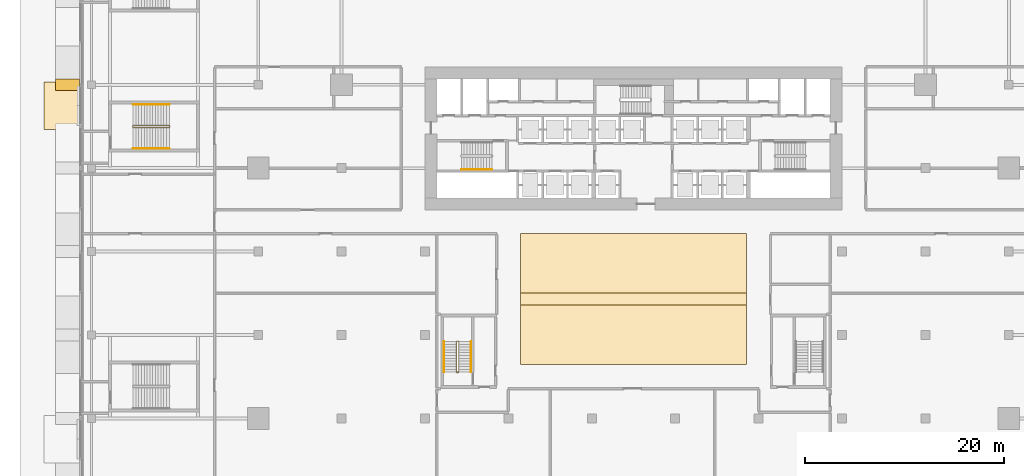
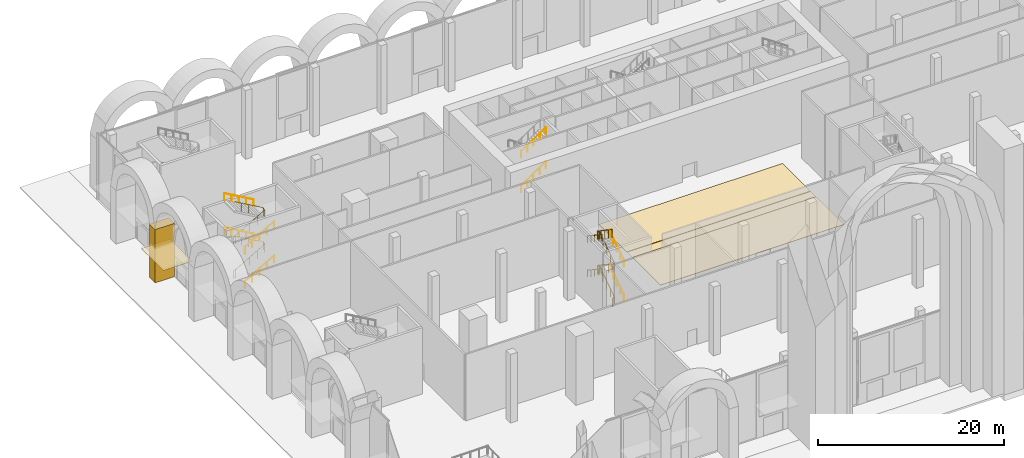
# One storey, part 36 of 43: 12 railings, 5 coverings.
"""IFC4 building model written with IfcOpenShell, lengths in metres."""

import ifcopenshell
import ifcopenshell.guid

model = None  # the IFC model being written
_history = None  # IfcOwnerHistory: only IFC2X3 demands one
_inside = {}  # id of a spatial element -> (the spatial element, [elements in it])
_under = {}  # id of a project, library or spatial element -> (it, [spatial elements below it])
_declared = {}  # id of a project -> (the project, [libraries it declares])
_typed = {}  # id of a type object -> (the type object, [elements of that type])
_made_of = {}  # id of a material, layer set ... -> (it, [elements and type objects made of it])


def new_model(schema):
    """Start an empty IFC model of exactly this schema.

    Asked for "IFC4X3", IfcOpenShell would pick the latest addendum, in which some entities
    have other attributes; the version numbers below select the first issue.
    IFC2X3 requires an IfcOwnerHistory on every rooted entity: one is made here for all.
    """
    global model, _history
    if schema == "IFC4X3":
        model = ifcopenshell.file(schema_version=(4, 3, 0, 0))
    else:
        model = ifcopenshell.file(schema=schema)
    _inside.clear()
    _under.clear()
    _declared.clear()
    _typed.clear()
    _made_of.clear()
    _history = None
    if model.schema == "IFC2X3":
        org = make("IfcOrganization", Name="unknown")
        user = make(
            "IfcPersonAndOrganization",
            ThePerson=make("IfcPerson", FamilyName="unknown"),
            TheOrganization=org,
        )
        app = make(
            "IfcApplication",
            ApplicationDeveloper=org,
            Version="unknown",
            ApplicationFullName="unknown",
            ApplicationIdentifier="unknown",
        )
        _history = make(
            "IfcOwnerHistory",
            OwningUser=user,
            OwningApplication=app,
            ChangeAction="ADDED",
            CreationDate=0,
        )
    return model


def make(cls, **values):
    """One entity of the class cls with the attributes given. An attribute that is None is left unset."""
    return model.create_entity(
        cls, **{name: value for name, value in values.items() if value is not None}
    )


def rooted(cls, **values):
    """An entity with a GlobalId (a new one), such as an element, a storey or a relation."""
    return make(cls, GlobalId=ifcopenshell.guid.new(), OwnerHistory=_history, **values)


def si_unit(unit_type, name, prefix=None):
    """IfcSIUnit, for example si_unit("LENGTHUNIT", "METRE", prefix="MILLI")."""
    return make("IfcSIUnit", UnitType=unit_type, Prefix=prefix, Name=name)


def assignment(units):
    """IfcUnitAssignment: the units of a project."""
    return None if units is None else make("IfcUnitAssignment", Units=units)


def point(xyz):
    """IfcCartesianPoint."""
    return None if xyz is None else make("IfcCartesianPoint", Coordinates=xyz)


def direction(xyz):
    """IfcDirection."""
    return None if xyz is None else make("IfcDirection", DirectionRatios=xyz)


def frame(location, z_axis=None, x_axis=None):
    """IfcAxis2Placement3D, a coordinate frame: its origin and axes. An axis left out is left unset."""
    return make(
        "IfcAxis2Placement3D",
        Location=point(location),
        Axis=direction(z_axis),
        RefDirection=direction(x_axis),
    )


def frame_2d(location, x_axis=None):
    """IfcAxis2Placement2D, a coordinate frame in the plane: its origin and x axis."""
    return make(
        "IfcAxis2Placement2D", Location=point(location), RefDirection=direction(x_axis)
    )


def origin():
    """The frame at (0, 0, 0) with its axes left unset."""
    return frame((0.0, 0.0, 0.0))


def origin_2d():
    """The frame at (0, 0) in the plane with its x axis left unset."""
    return frame_2d((0.0, 0.0))


def place(relative_to, where):
    """IfcLocalPlacement: puts the frame where relative to a parent placement (None: the world)."""
    return make(
        "IfcLocalPlacement", PlacementRelTo=relative_to, RelativePlacement=where
    )


def context(
    kind, dimensions, precision=None, world=None, true_north=None, identifier=None
):
    """IfcGeometricRepresentationContext, for example the 3D "Model" context."""
    return make(
        "IfcGeometricRepresentationContext",
        ContextIdentifier=identifier,
        ContextType=kind,
        CoordinateSpaceDimension=dimensions,
        Precision=precision,
        WorldCoordinateSystem=world,
        TrueNorth=true_north,
    )


def subcontext(parent, identifier, kind, view, scale=None):
    """IfcGeometricRepresentationSubContext, for example "Body" below "Model"."""
    return make(
        "IfcGeometricRepresentationSubContext",
        ContextIdentifier=identifier,
        ContextType=kind,
        ParentContext=parent,
        TargetScale=scale,
        TargetView=view,
    )


def project(units=None, contexts=None):
    """IfcProject with its units and contexts."""
    return rooted(
        "IfcProject",
        Name="project",
        RepresentationContexts=contexts,
        UnitsInContext=assignment(units),
    )


def spatial(cls, under=None, at=None, **own):
    """A site, building, storey or space (cls), placed at a placement, below another one or the project."""
    s = rooted(cls, ObjectPlacement=at, **own)
    if under is not None:
        _under.setdefault(under.id(), (under, []))[1].append(s)
    return s


def polyline(points):
    """IfcPolyline through the points."""
    return make("IfcPolyline", Points=[point(p) for p in points])


def profile(cls, at=None, kind="AREA", **sizes):
    """A parametric profile (cls). Its sizes go by their IFC names, for example OverallWidth=200.0."""
    return make(cls, ProfileType=kind, Position=at, **sizes)


def circle(**sizes):
    """IfcCircleProfileDef."""
    return profile("IfcCircleProfileDef", **sizes)


def outline(outer, holes=None, kind="AREA"):
    """IfcArbitraryClosedProfileDef: a profile drawn as a closed curve; with holes, ...WithVoids."""
    if holes is None:
        return make("IfcArbitraryClosedProfileDef", ProfileType=kind, OuterCurve=outer)
    return make(
        "IfcArbitraryProfileDefWithVoids",
        ProfileType=kind,
        OuterCurve=outer,
        InnerCurves=holes,
    )


def extrude(swept, where, along, depth):
    """IfcExtrudedAreaSolid: the profile swept, set in the frame where, extruded along a direction by depth."""
    return make(
        "IfcExtrudedAreaSolid",
        SweptArea=swept,
        Position=where,
        ExtrudedDirection=direction(along),
        Depth=depth,
    )


def shape(context_of_items, identifier, shape_type, items):
    """IfcShapeRepresentation: the items that make up one representation, for example the "Body"."""
    return make(
        "IfcShapeRepresentation",
        ContextOfItems=context_of_items,
        RepresentationIdentifier=identifier,
        RepresentationType=shape_type,
        Items=items,
    )


def material(Name=None, Category=None):
    """IfcMaterial."""
    return make("IfcMaterial", Name=Name, Category=Category)


def layer(
    of_material, thickness, ventilated=None, Name=None, Category=None, Priority=None
):
    """IfcMaterialLayer: one layer of a wall or slab, of a material (None: an air gap)."""
    return make(
        "IfcMaterialLayer",
        Material=of_material,
        LayerThickness=thickness,
        IsVentilated=ventilated,
        Name=Name,
        Category=Category,
        Priority=Priority,
    )


def layer_set(layers, Name=None):
    """IfcMaterialLayerSet."""
    return make("IfcMaterialLayerSet", MaterialLayers=layers, LayerSetName=Name)


def made_of(thing, what):
    """Note that an element or type object is made of a material, layer set ...; save() writes the relation."""
    if what is not None:
        _made_of.setdefault(what.id(), (what, []))[1].append(thing)
    return thing


def type_object(cls, material=None, **own):
    """A type object (cls), such as IfcWallType, which elements share."""
    return made_of(rooted(cls, **own), material)


def element(
    cls,
    number,
    at=None,
    inside=None,
    cuts=None,
    type_object=None,
    material=None,
    context=None,
    identifier="Body",
    shape_type=None,
    held_by="IfcProductDefinitionShape",
    body=None,
    shapes=None,
    **own,
):
    """One element of the class cls, such as IfcWall. Its Tag is "e" and its number.

    at: its placement. inside: the storey or other place that contains it. cuts: it is an
    opening in that element (IfcRelVoidsElement). A single representation is given by context,
    identifier, shape_type and body (its items); several are given by shapes. held_by: the class
    of the entity that holds the representations. save() writes the other relations.
    """
    e = rooted(cls, Tag="e%d" % number, ObjectPlacement=at, **own)
    if body is not None:
        shapes = [shape(context, identifier, shape_type, body)]
    if shapes is not None:
        e.Representation = make(held_by, Representations=shapes)
    if inside is not None:
        _inside.setdefault(inside.id(), (inside, []))[1].append(e)
    if cuts is not None:
        rooted(
            "IfcRelVoidsElement", RelatingBuildingElement=cuts, RelatedOpeningElement=e
        )
    if type_object is not None:
        _typed.setdefault(type_object.id(), (type_object, []))[1].append(e)
    return made_of(e, material)


def aggregate(whole, parts):
    """IfcRelAggregates: a whole, such as a stair, and the parts it consists of."""
    return rooted("IfcRelAggregates", RelatingObject=whole, RelatedObjects=parts)


def save(model, path):
    """Write the relations noted so far, then the file.

    IfcRelAggregates (storeys below a building ...), IfcRelContainedInSpatialStructure (elements
    in a storey), IfcRelDefinesByType, IfcRelAssociatesMaterial and IfcRelDeclares: one each for
    every whole, place, type object, material and project.
    """
    for whole, parts in _under.values():
        aggregate(whole, parts)
    for where, things in _inside.values():
        rooted(
            "IfcRelContainedInSpatialStructure",
            RelatedElements=things,
            RelatingStructure=where,
        )
    for kind, things in _typed.values():
        rooted("IfcRelDefinesByType", RelatedObjects=things, RelatingType=kind)
    for what, things in _made_of.values():
        rooted("IfcRelAssociatesMaterial", RelatedObjects=things, RelatingMaterial=what)
    for by, libraries in _declared.values():
        rooted("IfcRelDeclares", RelatingContext=by, RelatedDefinitions=libraries)
    model.write(path)


model = new_model("IFC4")

# Units and contexts
model_context = context("Model", 3, precision=1e-05, world=origin(), true_north=direction((0.0, 1.0)))
body_context = subcontext(model_context, "Body", "Model", "MODEL_VIEW")
ifc_project = project(units=[si_unit("LENGTHUNIT", "METRE"), si_unit("AREAUNIT", "SQUARE_METRE"), si_unit("VOLUMEUNIT", "CUBIC_METRE"), si_unit("PLANEANGLEUNIT", "RADIAN"), si_unit("MASSUNIT", "GRAM", prefix="KILO")], contexts=[model_context])

# Site, building, storey
site_placement = place(None, origin())
site = spatial("IfcSite", under=ifc_project, at=site_placement, CompositionType="ELEMENT")
building_placement = place(site_placement, origin())
building = spatial("IfcBuilding", under=site, at=building_placement, Name="Saffron Gate Tower", CompositionType="ELEMENT")
storey_placement = place(building_placement, origin())
storey = spatial("IfcBuildingStorey", under=building, at=storey_placement, Name="L00", CompositionType="ELEMENT", Elevation=0.0)

# Coverings
ifc_material_1 = material(Name="Cast stone cladding, pale limestone", Category="masonry")
ifc_layer_1 = layer(ifc_material_1, 1.199951171875)
ifc_layer_set_1 = layer_set([ifc_layer_1], Name="AR1 arcade pier")
covering_type_1 = type_object("IfcCoveringType", Name="AR1 arcade pier", PredefinedType="CLADDING", material=ifc_layer_set_1)
covering_1_placement = place(storey_placement, origin())
element("IfcCovering", 1, at=covering_1_placement, inside=storey, type_object=covering_type_1, Name="ARCADE PIER", PredefinedType="CLADDING", context=body_context, shape_type="SweptSolid", body=[
    extrude(outline(polyline([(31.800048828125, 74.39990234375), (31.800048828125, 73.199951171875), (29.39990234375, 73.199951171875), (29.39990234375, 74.39990234375), (31.800048828125, 74.39990234375)])), origin(), (0.0, 0.0, 1.0), 7.0),
])
ifc_material_2 = material(Name="Bronze-anodised aluminium soffit panels", Category="aluminium")
ifc_layer_2 = layer(ifc_material_2, 0.030029296875)
ifc_layer_set_2 = layer_set([ifc_layer_2], Name="CE1 canopy soffit lining")
covering_type_2 = type_object("IfcCoveringType", Name="CE1 canopy soffit lining", PredefinedType="CEILING", material=ifc_layer_set_2)
covering_2_placement = place(storey_placement, frame((0.0, 0.0, 4.3701171875)))
element("IfcCovering", 2, at=covering_2_placement, inside=storey, type_object=covering_type_2, Name="ENTRANCE CANOPY soffit lining", PredefinedType="CEILING", context=body_context, shape_type="SweptSolid", body=[
    extrude(outline(polyline([(31.800048828125, 74.10009765625), (31.800048828125, 69.300048828125), (28.199951171875, 69.300048828125), (28.199951171875, 74.10009765625), (31.800048828125, 74.10009765625)])), origin(), (0.0, 0.0, 1.0), 0.02978515625),
])

# Railings
ifc_material_3 = material(Name="Stainless steel and laminated glass", Category="steel")
railing_type_1 = type_object("IfcRailingType", Name="CR1 Stair guard 1100", PredefinedType="GUARDRAIL", material=ifc_material_3)
railing_1_placement = place(storey_placement, frame((69.800048828125, 44.800048828125, 0.0)))
element("IfcRailing", 3, at=railing_1_placement, inside=storey, type_object=railing_type_1, Name="L00 ST-D stair guard 1", PredefinedType="GUARDRAIL", context=body_context, shape_type="SweptSolid", body=[
    extrude(circle(Radius=0.02392578125, at=origin_2d()), frame((0.0, 0.0, 1.076171875), z_axis=(1.0, 0.0, 0.0), x_axis=(0.0, 1.0, 0.0)), (0.0, 0.0, 1.0), 0.14990234375),
    extrude(circle(Radius=0.02392578125, at=origin_2d()), frame((0.14990234375, 0.0, 1.076171875), z_axis=(0.249726431254, 0.249726431254, 0.935560483917), x_axis=(-0.707106781187, 0.707106781187, 0.0)), (0.0, 0.0, 1.0), 0.200439453125),
    extrude(circle(Radius=0.02392578125, at=origin_2d()), frame((0.199951171875, 0.050048828125, 1.263671875), z_axis=(0.0, 0.830893310487, 0.556431762742), x_axis=(-1.0, 0.0, 0.0)), (0.0, 0.0, 1.0), 3.70654296875),
    extrude(circle(Radius=0.02392578125, at=origin_2d()), frame((0.199951171875, 3.1298828125, 3.326171875), z_axis=(-0.707106781187, 0.707106781187, 0.0), x_axis=(-0.707106781187, -0.707106781187, 0.0)), (0.0, 0.0, 1.0), 0.07080078125),
    extrude(circle(Radius=0.02392578125, at=origin_2d()), frame((0.14990234375, 3.179931640625, 3.326171875), z_axis=(-1.0, 0.0, 0.0), x_axis=(0.0, -1.0, 0.0)), (0.0, 0.0, 1.0), 0.14990234375),
    extrude(circle(Radius=0.02392578125, at=origin_2d()), frame((0.0, 3.179931640625, 3.326171875), z_axis=(-0.249726431254, -0.249726431254, 0.935560483917), x_axis=(0.707106781187, -0.707106781187, 0.0)), (0.0, 0.0, 1.0), 0.200439453125),
    extrude(circle(Radius=0.02392578125, at=origin_2d()), frame((-0.050048828125, 3.1298828125, 3.513671875), z_axis=(0.0, -0.830893310487, 0.556431762742), x_axis=(1.0, 0.0, 0.0)), (0.0, 0.0, 1.0), 3.70654296875),
    extrude(circle(Radius=0.02392578125, at=origin_2d()), frame((-0.050048828125, 0.050048828125, 5.576171875), z_axis=(0.707106781187, -0.707106781187, 0.0), x_axis=(0.707106781187, 0.707106781187, 0.0)), (0.0, 0.0, 1.0), 0.07080078125),
    extrude(circle(Radius=0.02392578125, at=origin_2d()), frame((0.0, 0.0, 5.576171875), z_axis=(1.0, 0.0, 0.0), x_axis=(0.0, 1.0, 0.0)), (0.0, 0.0, 1.0), 0.14990234375),
    extrude(circle(Radius=0.02392578125, at=origin_2d()), frame((0.14990234375, 0.0, 5.576171875), z_axis=(0.249726431254, 0.249726431254, 0.935560483917), x_axis=(-0.707106781187, 0.707106781187, 0.0)), (0.0, 0.0, 1.0), 0.200439453125),
    extrude(circle(Radius=0.02392578125, at=origin_2d()), frame((0.199951171875, 0.050048828125, 5.763671875), z_axis=(0.0, 0.830893310487, 0.556431762742), x_axis=(-1.0, 0.0, 0.0)), (0.0, 0.0, 1.0), 3.70654296875),
    extrude(circle(Radius=0.02392578125, at=origin_2d()), frame((0.199951171875, 3.1298828125, 7.826171875), z_axis=(-0.707106781187, 0.707106781187, 0.0), x_axis=(-0.707106781187, -0.707106781187, 0.0)), (0.0, 0.0, 1.0), 0.07080078125),
    extrude(circle(Radius=0.02392578125, at=origin_2d()), frame((0.14990234375, 3.179931640625, 7.826171875), z_axis=(-1.0, 0.0, 0.0), x_axis=(0.0, -1.0, 0.0)), (0.0, 0.0, 1.0), 0.14990234375),
    extrude(circle(Radius=0.02392578125, at=origin_2d()), frame((0.0, 3.179931640625, 7.826171875), z_axis=(-0.249726431254, -0.249726431254, 0.935560483917), x_axis=(0.707106781187, -0.707106781187, 0.0)), (0.0, 0.0, 1.0), 0.200439453125),
    extrude(circle(Radius=0.02392578125, at=origin_2d()), frame((-0.050048828125, 3.1298828125, 8.013671875), z_axis=(0.0, -0.830893310487, 0.556431762742), x_axis=(1.0, 0.0, 0.0)), (0.0, 0.0, 1.0), 3.70654296875),
    extrude(circle(Radius=0.02099609375, at=origin_2d()), origin(), (0.0, 0.0, 1.0), 1.052001953125),
    extrude(circle(Radius=0.02099609375, at=origin_2d()), frame((0.14990234375, 0.0, 0.0)), (0.0, 0.0, 1.0), 1.052001953125),
    extrude(circle(Radius=0.02099609375, at=origin_2d()), frame((0.199951171875, 0.050048828125, 0.1875)), (0.0, 0.0, 1.0), 1.052001953125),
    extrude(circle(Radius=0.02099609375, at=origin_2d()), frame((0.199951171875, 0.820068359375, 0.703125)), (0.0, 0.0, 1.0), 1.052001953125),
    extrude(circle(Radius=0.02099609375, at=origin_2d()), frame((0.199951171875, 1.58984375, 1.21875)), (0.0, 0.0, 1.0), 1.052001953125),
    extrude(circle(Radius=0.02099609375, at=origin_2d()), frame((0.199951171875, 2.35986328125, 1.734375)), (0.0, 0.0, 1.0), 1.052001953125),
    extrude(circle(Radius=0.02099609375, at=origin_2d()), frame((0.199951171875, 3.1298828125, 2.25)), (0.0, 0.0, 1.0), 1.052001953125),
    extrude(circle(Radius=0.02099609375, at=origin_2d()), frame((0.14990234375, 3.179931640625, 2.25)), (0.0, 0.0, 1.0), 1.052001953125),
    extrude(circle(Radius=0.02099609375, at=origin_2d()), frame((0.0, 3.179931640625, 2.25)), (0.0, 0.0, 1.0), 1.052001953125),
    extrude(circle(Radius=0.02099609375, at=origin_2d()), frame((-0.050048828125, 3.1298828125, 2.4375)), (0.0, 0.0, 1.0), 1.052001953125),
    extrude(circle(Radius=0.02099609375, at=origin_2d()), frame((-0.050048828125, 2.35986328125, 2.953125)), (0.0, 0.0, 1.0), 1.052001953125),
    extrude(circle(Radius=0.02099609375, at=origin_2d()), frame((-0.050048828125, 1.58984375, 3.46875)), (0.0, 0.0, 1.0), 1.052001953125),
    extrude(circle(Radius=0.02099609375, at=origin_2d()), frame((-0.050048828125, 0.820068359375, 3.984375)), (0.0, 0.0, 1.0), 1.052001953125),
    extrude(circle(Radius=0.02099609375, at=origin_2d()), frame((-0.050048828125, 0.050048828125, 4.5)), (0.0, 0.0, 1.0), 1.052001953125),
    extrude(circle(Radius=0.02099609375, at=origin_2d()), frame((0.0, 0.0, 4.5)), (0.0, 0.0, 1.0), 1.052001953125),
    extrude(circle(Radius=0.02099609375, at=origin_2d()), frame((0.14990234375, 0.0, 4.5)), (0.0, 0.0, 1.0), 1.052001953125),
    extrude(circle(Radius=0.02099609375, at=origin_2d()), frame((0.199951171875, 0.050048828125, 4.6875)), (0.0, 0.0, 1.0), 1.052001953125),
    extrude(circle(Radius=0.02099609375, at=origin_2d()), frame((0.199951171875, 0.820068359375, 5.203125)), (0.0, 0.0, 1.0), 1.052001953125),
    extrude(circle(Radius=0.02099609375, at=origin_2d()), frame((0.199951171875, 1.58984375, 5.71875)), (0.0, 0.0, 1.0), 1.052001953125),
    extrude(circle(Radius=0.02099609375, at=origin_2d()), frame((0.199951171875, 2.35986328125, 6.234375)), (0.0, 0.0, 1.0), 1.052001953125),
    extrude(circle(Radius=0.02099609375, at=origin_2d()), frame((0.199951171875, 3.1298828125, 6.75)), (0.0, 0.0, 1.0), 1.052001953125),
    extrude(circle(Radius=0.02099609375, at=origin_2d()), frame((0.14990234375, 3.179931640625, 6.75)), (0.0, 0.0, 1.0), 1.052001953125),
    extrude(circle(Radius=0.02099609375, at=origin_2d()), frame((0.0, 3.179931640625, 6.75)), (0.0, 0.0, 1.0), 1.052001953125),
    extrude(circle(Radius=0.02099609375, at=origin_2d()), frame((-0.050048828125, 3.1298828125, 6.9375)), (0.0, 0.0, 1.0), 1.052001953125),
    extrude(circle(Radius=0.02099609375, at=origin_2d()), frame((-0.050048828125, 2.35986328125, 7.453125)), (0.0, 0.0, 1.0), 1.052001953125),
    extrude(circle(Radius=0.02099609375, at=origin_2d()), frame((-0.050048828125, 1.58984375, 7.96875)), (0.0, 0.0, 1.0), 1.052001953125),
    extrude(circle(Radius=0.02099609375, at=origin_2d()), frame((-0.050048828125, 0.820068359375, 8.484375)), (0.0, 0.0, 1.0), 1.052001953125),
    extrude(circle(Radius=0.02099609375, at=origin_2d()), frame((-0.050048828125, 0.050048828125, 9.0)), (0.0, 0.0, 1.0), 1.052001953125),
])
railing_2_placement = place(storey_placement, frame((37.14990234375, 69.675048828125, 0.0)))
element("IfcRailing", 4, at=railing_2_placement, inside=storey, type_object=railing_type_1, Name="L00 ST-G stair guard 1", PredefinedType="GUARDRAIL", context=body_context, shape_type="SweptSolid", body=[
    extrude(circle(Radius=0.02392578125, at=origin_2d()), frame((0.0, 0.0, 1.076171875), z_axis=(0.0, -1.0, 0.0), x_axis=(1.0, 0.0, 0.0)), (0.0, 0.0, 1.0), 0.150146484375),
    extrude(circle(Radius=0.02392578125, at=origin_2d()), frame((0.0, -0.150146484375, 1.076171875), z_axis=(0.285216442382, -0.283825142663, 0.915475215059), x_axis=(0.705375805398, 0.708833529934, 0.0)), (0.0, 0.0, 1.0), 0.175537109375),
    extrude(circle(Radius=0.02392578125, at=origin_2d()), frame((0.050048828125, -0.199951171875, 1.23681640625), z_axis=(0.867289372828, 0.0, 0.497804322781), x_axis=(0.0, 1.0, 0.0)), (0.0, 0.0, 1.0), 4.197021484375),
    extrude(circle(Radius=0.02392578125, at=origin_2d()), frame((3.690185546875, -0.199951171875, 3.326171875), z_axis=(0.707106781187, 0.707106781187, 0.0), x_axis=(-0.707106781187, 0.707106781187, 0.0)), (0.0, 0.0, 1.0), 0.0703125),
    extrude(circle(Radius=0.02392578125, at=origin_2d()), frame((3.739990234375, -0.150146484375, 3.326171875), z_axis=(0.0, 1.0, 0.0), x_axis=(-1.0, 0.0, 0.0)), (0.0, 0.0, 1.0), 0.150146484375),
    extrude(circle(Radius=0.02392578125, at=origin_2d()), frame((3.739990234375, 0.0, 3.326171875), z_axis=(-0.283825142663, 0.285216442382, 0.915475215059), x_axis=(-0.708833529934, -0.705375805398, 0.0)), (0.0, 0.0, 1.0), 0.175537109375),
    extrude(circle(Radius=0.02392578125, at=origin_2d()), frame((3.690185546875, 0.050048828125, 3.48681640625), z_axis=(-0.867289372828, 0.0, 0.497804322781), x_axis=(0.0, -1.0, 0.0)), (0.0, 0.0, 1.0), 4.197021484375),
    extrude(circle(Radius=0.02392578125, at=origin_2d()), frame((0.050048828125, 0.050048828125, 5.576171875), z_axis=(-0.707106781187, -0.707106781187, 0.0), x_axis=(0.707106781187, -0.707106781187, 0.0)), (0.0, 0.0, 1.0), 0.07080078125),
    extrude(circle(Radius=0.02392578125, at=origin_2d()), frame((0.0, 0.0, 5.576171875), z_axis=(0.0, -1.0, 0.0), x_axis=(1.0, 0.0, 0.0)), (0.0, 0.0, 1.0), 0.150146484375),
    extrude(circle(Radius=0.02392578125, at=origin_2d()), frame((0.0, -0.150146484375, 5.576171875), z_axis=(0.285216442382, -0.283825142663, 0.915475215059), x_axis=(0.705375805398, 0.708833529934, 0.0)), (0.0, 0.0, 1.0), 0.175537109375),
    extrude(circle(Radius=0.02392578125, at=origin_2d()), frame((0.050048828125, -0.199951171875, 5.73681640625), z_axis=(0.867289372828, 0.0, 0.497804322781), x_axis=(0.0, 1.0, 0.0)), (0.0, 0.0, 1.0), 4.197021484375),
    extrude(circle(Radius=0.02392578125, at=origin_2d()), frame((3.690185546875, -0.199951171875, 7.826171875), z_axis=(0.707106781187, 0.707106781187, 0.0), x_axis=(-0.707106781187, 0.707106781187, 0.0)), (0.0, 0.0, 1.0), 0.0703125),
    extrude(circle(Radius=0.02392578125, at=origin_2d()), frame((3.739990234375, -0.150146484375, 7.826171875), z_axis=(0.0, 1.0, 0.0), x_axis=(-1.0, 0.0, 0.0)), (0.0, 0.0, 1.0), 0.150146484375),
    extrude(circle(Radius=0.02392578125, at=origin_2d()), frame((3.739990234375, 0.0, 7.826171875), z_axis=(-0.283825142663, 0.285216442382, 0.915475215059), x_axis=(-0.708833529934, -0.705375805398, 0.0)), (0.0, 0.0, 1.0), 0.175537109375),
    extrude(circle(Radius=0.02392578125, at=origin_2d()), frame((3.690185546875, 0.050048828125, 7.98681640625), z_axis=(-0.867289372828, 0.0, 0.497804322781), x_axis=(0.0, -1.0, 0.0)), (0.0, 0.0, 1.0), 4.197021484375),
    extrude(circle(Radius=0.02099609375, at=origin_2d()), origin(), (0.0, 0.0, 1.0), 1.052001953125),
    extrude(circle(Radius=0.02099609375, at=origin_2d()), frame((0.0, -0.150146484375, 0.0)), (0.0, 0.0, 1.0), 1.052001953125),
    extrude(circle(Radius=0.02099609375, at=origin_2d()), frame((0.050048828125, -0.199951171875, 0.16064453125)), (0.0, 0.0, 1.0), 1.052001953125),
    extrude(circle(Radius=0.02099609375, at=origin_2d()), frame((0.9599609375, -0.199951171875, 0.68310546875)), (0.0, 0.0, 1.0), 1.052001953125),
    extrude(circle(Radius=0.02099609375, at=origin_2d()), frame((1.8701171875, -0.199951171875, 1.205322265625)), (0.0, 0.0, 1.0), 1.052001953125),
    extrude(circle(Radius=0.02099609375, at=origin_2d()), frame((2.7802734375, -0.199951171875, 1.7275390625)), (0.0, 0.0, 1.0), 1.052001953125),
    extrude(circle(Radius=0.02099609375, at=origin_2d()), frame((3.690185546875, -0.199951171875, 2.25)), (0.0, 0.0, 1.0), 1.052001953125),
    extrude(circle(Radius=0.02099609375, at=origin_2d()), frame((3.739990234375, -0.150146484375, 2.25)), (0.0, 0.0, 1.0), 1.052001953125),
    extrude(circle(Radius=0.02099609375, at=origin_2d()), frame((3.739990234375, 0.0, 2.25)), (0.0, 0.0, 1.0), 1.052001953125),
    extrude(circle(Radius=0.02099609375, at=origin_2d()), frame((3.690185546875, 0.050048828125, 2.41064453125)), (0.0, 0.0, 1.0), 1.052001953125),
    extrude(circle(Radius=0.02099609375, at=origin_2d()), frame((2.7802734375, 0.050048828125, 2.93310546875)), (0.0, 0.0, 1.0), 1.052001953125),
    extrude(circle(Radius=0.02099609375, at=origin_2d()), frame((1.8701171875, 0.050048828125, 3.455322265625)), (0.0, 0.0, 1.0), 1.052001953125),
    extrude(circle(Radius=0.02099609375, at=origin_2d()), frame((0.9599609375, 0.050048828125, 3.9775390625)), (0.0, 0.0, 1.0), 1.052001953125),
    extrude(circle(Radius=0.02099609375, at=origin_2d()), frame((0.050048828125, 0.050048828125, 4.5)), (0.0, 0.0, 1.0), 1.052001953125),
    extrude(circle(Radius=0.02099609375, at=origin_2d()), frame((0.0, 0.0, 4.5)), (0.0, 0.0, 1.0), 1.052001953125),
    extrude(circle(Radius=0.02099609375, at=origin_2d()), frame((0.0, -0.150146484375, 4.5)), (0.0, 0.0, 1.0), 1.052001953125),
    extrude(circle(Radius=0.02099609375, at=origin_2d()), frame((0.050048828125, -0.199951171875, 4.66064453125)), (0.0, 0.0, 1.0), 1.052001953125),
    extrude(circle(Radius=0.02099609375, at=origin_2d()), frame((0.9599609375, -0.199951171875, 5.18310546875)), (0.0, 0.0, 1.0), 1.052001953125),
    extrude(circle(Radius=0.02099609375, at=origin_2d()), frame((1.8701171875, -0.199951171875, 5.705322265625)), (0.0, 0.0, 1.0), 1.052001953125),
    extrude(circle(Radius=0.02099609375, at=origin_2d()), frame((2.7802734375, -0.199951171875, 6.2275390625)), (0.0, 0.0, 1.0), 1.052001953125),
    extrude(circle(Radius=0.02099609375, at=origin_2d()), frame((3.690185546875, -0.199951171875, 6.75)), (0.0, 0.0, 1.0), 1.052001953125),
    extrude(circle(Radius=0.02099609375, at=origin_2d()), frame((3.739990234375, -0.150146484375, 6.75)), (0.0, 0.0, 1.0), 1.052001953125),
    extrude(circle(Radius=0.02099609375, at=origin_2d()), frame((3.739990234375, 0.0, 6.75)), (0.0, 0.0, 1.0), 1.052001953125),
    extrude(circle(Radius=0.02099609375, at=origin_2d()), frame((3.690185546875, 0.050048828125, 6.91064453125)), (0.0, 0.0, 1.0), 1.052001953125),
    extrude(circle(Radius=0.02099609375, at=origin_2d()), frame((2.7802734375, 0.050048828125, 7.43310546875)), (0.0, 0.0, 1.0), 1.052001953125),
    extrude(circle(Radius=0.02099609375, at=origin_2d()), frame((1.8701171875, 0.050048828125, 7.955322265625)), (0.0, 0.0, 1.0), 1.052001953125),
    extrude(circle(Radius=0.02099609375, at=origin_2d()), frame((0.9599609375, 0.050048828125, 8.4775390625)), (0.0, 0.0, 1.0), 1.052001953125),
    extrude(circle(Radius=0.02099609375, at=origin_2d()), frame((0.050048828125, 0.050048828125, 9.0)), (0.0, 0.0, 1.0), 1.052001953125),
])
ifc_material_4 = material(Name="Stainless steel", Category="steel")
railing_type_2 = type_object("IfcRailingType", Name="CR2 Stair handrail 900", PredefinedType="HANDRAIL", material=ifc_material_4)
for number, where, name in (
    (5, (70.27001953125, 65.25, 2.4375), "L00 ST-A stair handrail 2"),
    (6, (70.27001953125, 65.25, 6.9375), "L00 ST-A stair handrail 4"),
):
    element("IfcRailing", number, at=place(storey_placement, frame(where)), inside=storey, type_object=railing_type_2, Name=name, PredefinedType="HANDRAIL", context=body_context, shape_type="SweptSolid", body=[
        extrude(circle(Radius=0.02392578125, at=origin_2d()), frame((0.0, 0.0, 0.8759765625), z_axis=(0.830913701846, 0.0, 0.55640131208), x_axis=(0.0, 1.0, 0.0)), (0.0, 0.0, 1.0), 3.706787109375),
        extrude(circle(Radius=0.02099609375, at=origin_2d()), origin(), (0.0, 0.0, 1.0), 0.851806640625),
        extrude(circle(Radius=0.02099609375, at=origin_2d()), frame((0.77001953125, 0.0, 0.515625)), (0.0, 0.0, 1.0), 0.851806640625),
        extrude(circle(Radius=0.02099609375, at=origin_2d()), frame((1.5400390625, 0.0, 1.03125)), (0.0, 0.0, 1.0), 0.851806640625),
        extrude(circle(Radius=0.02099609375, at=origin_2d()), frame((2.31005859375, 0.0, 1.546875)), (0.0, 0.0, 1.0), 0.851806640625),
        extrude(circle(Radius=0.02099609375, at=origin_2d()), frame((3.080078125, 0.0, 2.0625)), (0.0, 0.0, 1.0), 0.851806640625),
    ])
railing_3_placement = place(storey_placement, frame((71.25, 44.85009765625, 0.1875)))
element("IfcRailing", 7, at=railing_3_placement, inside=storey, type_object=railing_type_2, Name="L00 ST-D stair handrail 1", PredefinedType="HANDRAIL", context=body_context, shape_type="SweptSolid", body=[
    extrude(circle(Radius=0.02392578125, at=origin_2d()), frame((0.0, 0.0, 0.8759765625), z_axis=(0.0, 0.830893310487, 0.556431762742), x_axis=(-1.0, 0.0, 0.0)), (0.0, 0.0, 1.0), 3.70654296875),
    extrude(circle(Radius=0.02099609375, at=origin_2d()), origin(), (0.0, 0.0, 1.0), 0.851806640625),
    extrude(circle(Radius=0.02099609375, at=origin_2d()), frame((0.0, 0.77001953125, 0.515625)), (0.0, 0.0, 1.0), 0.851806640625),
    extrude(circle(Radius=0.02099609375, at=origin_2d()), frame((0.0, 1.5400390625, 1.03125)), (0.0, 0.0, 1.0), 0.851806640625),
    extrude(circle(Radius=0.02099609375, at=origin_2d()), frame((0.0, 2.309814453125, 1.546875)), (0.0, 0.0, 1.0), 0.851806640625),
    extrude(circle(Radius=0.02099609375, at=origin_2d()), frame((0.0, 3.079833984375, 2.0625)), (0.0, 0.0, 1.0), 0.851806640625),
])
railing_4_placement = place(storey_placement, frame((68.5, 47.929931640625, 2.4375)))
element("IfcRailing", 8, at=railing_4_placement, inside=storey, type_object=railing_type_2, Name="L00 ST-D stair handrail 2", PredefinedType="HANDRAIL", context=body_context, shape_type="SweptSolid", body=[
    extrude(circle(Radius=0.02392578125, at=origin_2d()), frame((0.0, 0.0, 0.8759765625), z_axis=(0.0, -0.830893310487, 0.556431762742), x_axis=(1.0, 0.0, 0.0)), (0.0, 0.0, 1.0), 3.70654296875),
    extrude(circle(Radius=0.02099609375, at=origin_2d()), origin(), (0.0, 0.0, 1.0), 0.851806640625),
    extrude(circle(Radius=0.02099609375, at=origin_2d()), frame((0.0, -0.77001953125, 0.515625)), (0.0, 0.0, 1.0), 0.851806640625),
    extrude(circle(Radius=0.02099609375, at=origin_2d()), frame((0.0, -1.5400390625, 1.03125)), (0.0, 0.0, 1.0), 0.851806640625),
    extrude(circle(Radius=0.02099609375, at=origin_2d()), frame((0.0, -2.309814453125, 1.546875)), (0.0, 0.0, 1.0), 0.851806640625),
    extrude(circle(Radius=0.02099609375, at=origin_2d()), frame((0.0, -3.079833984375, 2.0625)), (0.0, 0.0, 1.0), 0.851806640625),
])
railing_5_placement = place(storey_placement, frame((71.25, 44.85009765625, 4.6875)))
element("IfcRailing", 9, at=railing_5_placement, inside=storey, type_object=railing_type_2, Name="L00 ST-D stair handrail 3", PredefinedType="HANDRAIL", context=body_context, shape_type="SweptSolid", body=[
    extrude(circle(Radius=0.02392578125, at=origin_2d()), frame((0.0, 0.0, 0.8759765625), z_axis=(0.0, 0.830893310487, 0.556431762742), x_axis=(-1.0, 0.0, 0.0)), (0.0, 0.0, 1.0), 3.70654296875),
    extrude(circle(Radius=0.02099609375, at=origin_2d()), origin(), (0.0, 0.0, 1.0), 0.851806640625),
    extrude(circle(Radius=0.02099609375, at=origin_2d()), frame((0.0, 0.77001953125, 0.515625)), (0.0, 0.0, 1.0), 0.851806640625),
    extrude(circle(Radius=0.02099609375, at=origin_2d()), frame((0.0, 1.5400390625, 1.03125)), (0.0, 0.0, 1.0), 0.851806640625),
    extrude(circle(Radius=0.02099609375, at=origin_2d()), frame((0.0, 2.309814453125, 1.546875)), (0.0, 0.0, 1.0), 0.851806640625),
    extrude(circle(Radius=0.02099609375, at=origin_2d()), frame((0.0, 3.079833984375, 2.0625)), (0.0, 0.0, 1.0), 0.851806640625),
])
railing_6_placement = place(storey_placement, frame((68.5, 47.929931640625, 6.9375)))
element("IfcRailing", 10, at=railing_6_placement, inside=storey, type_object=railing_type_2, Name="L00 ST-D stair handrail 4", PredefinedType="HANDRAIL", context=body_context, shape_type="SweptSolid", body=[
    extrude(circle(Radius=0.02392578125, at=origin_2d()), frame((0.0, 0.0, 0.8759765625), z_axis=(0.0, -0.830893310487, 0.556431762742), x_axis=(1.0, 0.0, 0.0)), (0.0, 0.0, 1.0), 3.70654296875),
    extrude(circle(Radius=0.02099609375, at=origin_2d()), origin(), (0.0, 0.0, 1.0), 0.851806640625),
    extrude(circle(Radius=0.02099609375, at=origin_2d()), frame((0.0, -0.77001953125, 0.515625)), (0.0, 0.0, 1.0), 0.851806640625),
    extrude(circle(Radius=0.02099609375, at=origin_2d()), frame((0.0, -1.5400390625, 1.03125)), (0.0, 0.0, 1.0), 0.851806640625),
    extrude(circle(Radius=0.02099609375, at=origin_2d()), frame((0.0, -2.309814453125, 1.546875)), (0.0, 0.0, 1.0), 0.851806640625),
    extrude(circle(Radius=0.02099609375, at=origin_2d()), frame((0.0, -3.079833984375, 2.0625)), (0.0, 0.0, 1.0), 0.851806640625),
])
railing_7_placement = place(storey_placement, frame((37.199951171875, 67.375, 0.16064453125)))
element("IfcRailing", 11, at=railing_7_placement, inside=storey, type_object=railing_type_2, Name="L00 ST-G stair handrail 1", PredefinedType="HANDRAIL", context=body_context, shape_type="SweptSolid", body=[
    extrude(circle(Radius=0.02392578125, at=origin_2d()), frame((0.0, 0.0, 0.8759765625), z_axis=(0.867289372828, 0.0, 0.497804322781), x_axis=(0.0, 1.0, 0.0)), (0.0, 0.0, 1.0), 4.197021484375),
    extrude(circle(Radius=0.02099609375, at=origin_2d()), origin(), (0.0, 0.0, 1.0), 0.851806640625),
    extrude(circle(Radius=0.02099609375, at=origin_2d()), frame((0.91015625, 0.0, 0.5224609375)), (0.0, 0.0, 1.0), 0.851806640625),
    extrude(circle(Radius=0.02099609375, at=origin_2d()), frame((1.820068359375, 0.0, 1.044677734375)), (0.0, 0.0, 1.0), 0.851806640625),
    extrude(circle(Radius=0.02099609375, at=origin_2d()), frame((2.72998046875, 0.0, 1.56689453125)), (0.0, 0.0, 1.0), 0.851806640625),
    extrude(circle(Radius=0.02099609375, at=origin_2d()), frame((3.64013671875, 0.0, 2.08935546875)), (0.0, 0.0, 1.0), 0.851806640625),
])
railing_8_placement = place(storey_placement, frame((40.840087890625, 71.824951171875, 2.41064453125)))
element("IfcRailing", 12, at=railing_8_placement, inside=storey, type_object=railing_type_2, Name="L00 ST-G stair handrail 2", PredefinedType="HANDRAIL", context=body_context, shape_type="SweptSolid", body=[
    extrude(circle(Radius=0.02392578125, at=origin_2d()), frame((0.0, 0.0, 0.8759765625), z_axis=(-0.867289372828, 0.0, 0.497804322781), x_axis=(0.0, -1.0, 0.0)), (0.0, 0.0, 1.0), 4.197021484375),
    extrude(circle(Radius=0.02099609375, at=origin_2d()), origin(), (0.0, 0.0, 1.0), 0.851806640625),
    extrude(circle(Radius=0.02099609375, at=origin_2d()), frame((-0.91015625, 0.0, 0.5224609375)), (0.0, 0.0, 1.0), 0.851806640625),
    extrude(circle(Radius=0.02099609375, at=origin_2d()), frame((-1.820068359375, 0.0, 1.044677734375)), (0.0, 0.0, 1.0), 0.851806640625),
    extrude(circle(Radius=0.02099609375, at=origin_2d()), frame((-2.72998046875, 0.0, 1.56689453125)), (0.0, 0.0, 1.0), 0.851806640625),
    extrude(circle(Radius=0.02099609375, at=origin_2d()), frame((-3.64013671875, 0.0, 2.08935546875)), (0.0, 0.0, 1.0), 0.851806640625),
])
railing_9_placement = place(storey_placement, frame((37.199951171875, 67.375, 4.66064453125)))
element("IfcRailing", 13, at=railing_9_placement, inside=storey, type_object=railing_type_2, Name="L00 ST-G stair handrail 3", PredefinedType="HANDRAIL", context=body_context, shape_type="SweptSolid", body=[
    extrude(circle(Radius=0.02392578125, at=origin_2d()), frame((0.0, 0.0, 0.8759765625), z_axis=(0.867289372828, 0.0, 0.497804322781), x_axis=(0.0, 1.0, 0.0)), (0.0, 0.0, 1.0), 4.197021484375),
    extrude(circle(Radius=0.02099609375, at=origin_2d()), origin(), (0.0, 0.0, 1.0), 0.851806640625),
    extrude(circle(Radius=0.02099609375, at=origin_2d()), frame((0.91015625, 0.0, 0.5224609375)), (0.0, 0.0, 1.0), 0.851806640625),
    extrude(circle(Radius=0.02099609375, at=origin_2d()), frame((1.820068359375, 0.0, 1.044677734375)), (0.0, 0.0, 1.0), 0.851806640625),
    extrude(circle(Radius=0.02099609375, at=origin_2d()), frame((2.72998046875, 0.0, 1.56689453125)), (0.0, 0.0, 1.0), 0.851806640625),
    extrude(circle(Radius=0.02099609375, at=origin_2d()), frame((3.64013671875, 0.0, 2.08935546875)), (0.0, 0.0, 1.0), 0.851806640625),
])
railing_10_placement = place(storey_placement, frame((40.840087890625, 71.824951171875, 6.91064453125)))
element("IfcRailing", 14, at=railing_10_placement, inside=storey, type_object=railing_type_2, Name="L00 ST-G stair handrail 4", PredefinedType="HANDRAIL", context=body_context, shape_type="SweptSolid", body=[
    extrude(circle(Radius=0.02392578125, at=origin_2d()), frame((0.0, 0.0, 0.8759765625), z_axis=(-0.867289372828, 0.0, 0.497804322781), x_axis=(0.0, -1.0, 0.0)), (0.0, 0.0, 1.0), 4.197021484375),
    extrude(circle(Radius=0.02099609375, at=origin_2d()), origin(), (0.0, 0.0, 1.0), 0.851806640625),
    extrude(circle(Radius=0.02099609375, at=origin_2d()), frame((-0.91015625, 0.0, 0.5224609375)), (0.0, 0.0, 1.0), 0.851806640625),
    extrude(circle(Radius=0.02099609375, at=origin_2d()), frame((-1.820068359375, 0.0, 1.044677734375)), (0.0, 0.0, 1.0), 0.851806640625),
    extrude(circle(Radius=0.02099609375, at=origin_2d()), frame((-2.72998046875, 0.0, 1.56689453125)), (0.0, 0.0, 1.0), 0.851806640625),
    extrude(circle(Radius=0.02099609375, at=origin_2d()), frame((-3.64013671875, 0.0, 2.08935546875)), (0.0, 0.0, 1.0), 0.851806640625),
])

# Coverings
ifc_material_5 = material(Name="Glazed ceramic tile, turquoise")
ifc_layer_3 = layer(ifc_material_5, 0.06005859375)
ifc_layer_set_3 = layer_set([ifc_layer_3], Name="CT1 court paving")
covering_type_3 = type_object("IfcCoveringType", Name="CT1 court paving", PredefinedType="FLOORING", material=ifc_layer_set_3)
covering_3_placement = place(storey_placement, origin())
element("IfcCovering", 15, at=covering_3_placement, inside=storey, type_object=covering_type_3, Name="COURT PAVING", PredefinedType="FLOORING", context=body_context, shape_type="SweptSolid", body=[
    extrude(outline(polyline([(76.199951171875, 45.60009765625), (99.0, 45.60009765625), (99.0, 51.60009765625), (76.199951171875, 51.60009765625), (76.199951171875, 45.60009765625)])), origin(), (0.0, 0.0, 1.0), 0.06005859375),
])
covering_4_placement = place(storey_placement, origin())
element("IfcCovering", 16, at=covering_4_placement, inside=storey, type_object=covering_type_3, Name="COURT PAVING", PredefinedType="FLOORING", context=body_context, shape_type="SweptSolid", body=[
    extrude(outline(polyline([(76.199951171875, 52.800048828125), (99.0, 52.800048828125), (99.0, 58.800048828125), (76.199951171875, 58.800048828125), (76.199951171875, 52.800048828125)])), origin(), (0.0, 0.0, 1.0), 0.06005859375),
])
ifc_material_6 = material(Name="Glazed ceramic tile, deep blue")
ifc_layer_4 = layer(ifc_material_6, 0.030029296875)
ifc_layer_set_4 = layer_set([ifc_layer_4], Name="CT2 water channel")
covering_type_4 = type_object("IfcCoveringType", Name="CT2 water channel", PredefinedType="FLOORING", material=ifc_layer_set_4)
covering_5_placement = place(storey_placement, origin())
element("IfcCovering", 17, at=covering_5_placement, inside=storey, type_object=covering_type_4, Name="COURT WATER CHANNEL", PredefinedType="FLOORING", context=body_context, shape_type="SweptSolid", body=[
    extrude(outline(polyline([(76.199951171875, 51.60009765625), (99.0, 51.60009765625), (99.0, 52.800048828125), (76.199951171875, 52.800048828125), (76.199951171875, 51.60009765625)])), origin(), (0.0, 0.0, 1.0), 0.030029296875),
])

save(model, "model.ifc")
